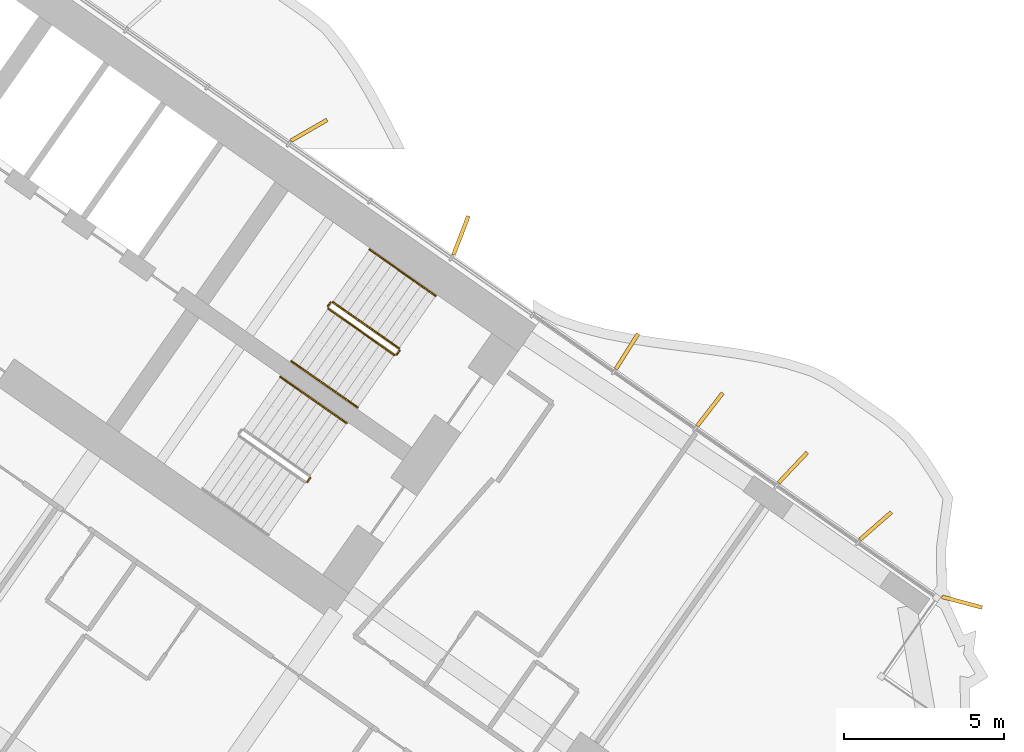
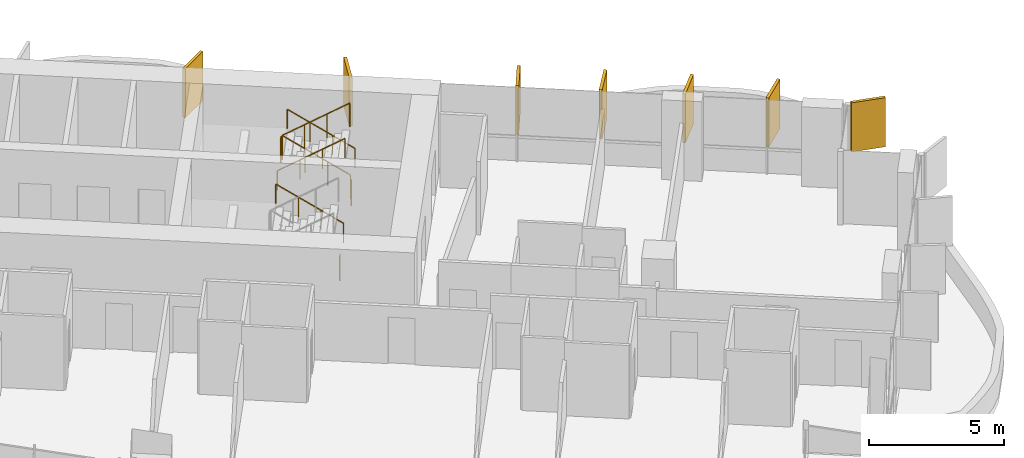
# One storey, part 24 of 24: 8 railings, 7 shading devices.
"""IFC4 building model written with IfcOpenShell, lengths in metres."""

from ifc_helpers import new_model, si_unit, direction, frame, origin, origin_2d, place, context, subcontext, project, spatial, rectangle, circle, extrude, material, layer, layer_set, type_object, element, save


model = new_model("IFC4")

# Units and contexts
model_context = context("Model", 3, precision=1e-05, world=origin(), true_north=direction((0.0, 1.0)))
body_context = subcontext(model_context, "Body", "Model", "MODEL_VIEW")
ifc_project = project(units=[si_unit("LENGTHUNIT", "METRE"), si_unit("AREAUNIT", "SQUARE_METRE"), si_unit("VOLUMEUNIT", "CUBIC_METRE"), si_unit("PLANEANGLEUNIT", "RADIAN"), si_unit("MASSUNIT", "GRAM", prefix="KILO")], contexts=[model_context])

# Site, building, storey
site_placement = place(None, origin())
site = spatial("IfcSite", under=ifc_project, at=site_placement, CompositionType="ELEMENT")
building_placement = place(site_placement, origin())
building = spatial("IfcBuilding", under=site, at=building_placement, Name="Tel Ilan Convention Tower", CompositionType="ELEMENT")
storey_placement = place(building_placement, frame((0.0, 0.0, 90.5)))
storey = spatial("IfcBuildingStorey", under=building, at=storey_placement, Name="L18", CompositionType="ELEMENT", Elevation=90.5)

# Shading devices
ifc_material_1 = material(Name="Aluminium, bronze anodised", Category="aluminium")
ifc_layer = layer(ifc_material_1, 0.1201171875)
ifc_layer_set = layer_set([ifc_layer], Name="FIN BRONZE 1300x120")
shading_device_type = type_object("IfcShadingDeviceType", Name="FIN BRONZE 1300x120", PredefinedType="USERDEFINED", material=ifc_layer_set)
for number, where, z_axis, x_axis, name in (
    (1, (25.611328125, -4.327880859375, 1.10009765625), (0.0, 0.0, 1.0), (0.360177724803, 0.932883704733, 0.0), "FIN"),
    (2, (20.87255859375, -1.047607421875, 1.10009765625), (0.0, 0.0, 1.0), (0.866025403784, 0.5, 0.0), "FIN"),
    (3, (41.2431640625, -15.767822265625, 1.10009765625), (0.0, 0.0, 1.0), (0.965925826289, -0.258819045103, 0.0), "FIN"),
    (4, (38.551513671875, -13.388671875, 1.10009765625), (0.0, 0.0, 1.0), (0.753435896329, 0.657521368568, 0.0), "FIN"),
    (5, (35.9677734375, -11.571533203125, 1.10009765625), (0.0, 0.0, 1.0), (0.686241637865, 0.727373641577, 0.0), "FIN"),
    (6, (33.379638671875, -9.759033203125, 1.10009765625), (0.0, 0.0, 1.0), (0.612600545196, 0.790392669516, 0.0), "FIN"),
    (7, (30.791015625, -7.946533203125, 1.10009765625), (0.0, 0.0, 1.0), (0.533204432798, 0.845986425922, 0.0), "FIN"),
):
    element("IfcShadingDevice", number, at=place(storey_placement, frame(where, z_axis=z_axis, x_axis=x_axis)), inside=storey, type_object=shading_device_type, Name=name, ObjectType="FIN", PredefinedType="USERDEFINED", context=body_context, shape_type="SweptSolid", body=[
        extrude(rectangle(XDim=1.300048828125, YDim=0.1201171875, at=origin_2d()), origin(), (0.0, 0.0, 1.0), 2.219970703125),
    ])

# Railings
ifc_material_2 = material(Name="Stainless Steel Grade 316", Category="steel")
railing_type_1 = type_object("IfcRailingType", Name="Stainless Steel Stair Guard 1100 mm", PredefinedType="GUARDRAIL", material=ifc_material_2)
railing_1_placement = place(storey_placement, frame((23.6787109375, -7.8515625, 0.179931640625)))
element("IfcRailing", 8, at=railing_1_placement, inside=storey, type_object=railing_type_1, Name="L18 S3 stair guard 1", PredefinedType="GUARDRAIL", context=body_context, shape_type="SweptSolid", body=[
    extrude(circle(Radius=0.02392578125, at=origin_2d()), frame((0.0, 0.0, 1.076171875), z_axis=(-0.689013013563, 0.482512838948, 0.540779462804), x_axis=(-0.573624882958, -0.819118119475, 0.0)), (0.0, 0.0, 1.0), 2.995849609375),
    extrude(circle(Radius=0.02099609375, at=origin_2d()), origin(), (0.0, 0.0, 1.0), 1.052001953125),
    extrude(circle(Radius=0.02099609375, at=origin_2d()), frame((-0.68798828125, 0.48193359375, 0.5400390625)), (0.0, 0.0, 1.0), 1.052001953125),
    extrude(circle(Radius=0.02099609375, at=origin_2d()), frame((-1.376220703125, 0.963623046875, 1.080078125)), (0.0, 0.0, 1.0), 1.052001953125),
    extrude(circle(Radius=0.02099609375, at=origin_2d()), frame((-2.064208984375, 1.445556640625, 1.6201171875)), (0.0, 0.0, 1.0), 1.052001953125),
])
railing_2_placement = place(storey_placement, frame((21.544921875, -6.41845703125, 1.800048828125)))
element("IfcRailing", 9, at=railing_2_placement, inside=storey, type_object=railing_type_1, Name="L18 S3 stair guard 2", PredefinedType="GUARDRAIL", context=body_context, shape_type="SweptSolid", body=[
    extrude(circle(Radius=0.02392578125, at=origin_2d()), frame((0.0, 0.0, 1.076171875), z_axis=(-0.573353020881, -0.819308436089, 0.0), x_axis=(0.819308436089, -0.573353020881, 0.0)), (0.0, 0.0, 1.0), 0.14990234375),
    extrude(circle(Radius=0.02099609375, at=origin_2d()), origin(), (0.0, 0.0, 1.0), 1.052001953125),
    extrude(circle(Radius=0.02099609375, at=origin_2d()), frame((-0.0859375, -0.122802734375, 0.0)), (0.0, 0.0, 1.0), 1.052001953125),
])
railing_3_placement = place(storey_placement, frame((21.47119140625, -6.61083984375, 1.97998046875)))
element("IfcRailing", 10, at=railing_3_placement, inside=storey, type_object=railing_type_1, Name="L18 S3 stair guard 3", PredefinedType="GUARDRAIL", context=body_context, shape_type="SweptSolid", body=[
    extrude(circle(Radius=0.02392578125, at=origin_2d()), frame((0.0, 0.0, 1.076171875), z_axis=(0.689013013563, -0.482512838948, 0.540779462804), x_axis=(0.573624882958, 0.819118119475, 0.0)), (0.0, 0.0, 1.0), 2.995849609375),
    extrude(circle(Radius=0.02099609375, at=origin_2d()), origin(), (0.0, 0.0, 1.0), 1.052001953125),
    extrude(circle(Radius=0.02099609375, at=origin_2d()), frame((0.68798828125, -0.48193359375, 0.5400390625)), (0.0, 0.0, 1.0), 1.052001953125),
    extrude(circle(Radius=0.02099609375, at=origin_2d()), frame((1.376220703125, -0.963623046875, 1.080078125)), (0.0, 0.0, 1.0), 1.052001953125),
    extrude(circle(Radius=0.02099609375, at=origin_2d()), frame((2.064208984375, -1.445556640625, 1.6201171875)), (0.0, 0.0, 1.0), 1.052001953125),
])
railing_4_placement = place(storey_placement, frame((23.691162109375, -7.921142578125, 0.0)))
element("IfcRailing", 11, at=railing_4_placement, inside=storey, type_object=railing_type_1, Name="L18 S3 stair guard 4", PredefinedType="GUARDRAIL", context=body_context, shape_type="SweptSolid", body=[
    extrude(circle(Radius=0.02392578125, at=origin_2d()), frame((0.0, 0.0, 1.076171875), z_axis=(-0.574444878118, -0.818543268254, 0.0), x_axis=(0.818543268254, -0.574444878118, 0.0)), (0.0, 0.0, 1.0), 0.150146484375),
    extrude(circle(Radius=0.02099609375, at=origin_2d()), origin(), (0.0, 0.0, 1.0), 1.052001953125),
    extrude(circle(Radius=0.02099609375, at=origin_2d()), frame((-0.086181640625, -0.122802734375, 0.0)), (0.0, 0.0, 1.0), 1.052001953125),
])
railing_5_placement = place(storey_placement, frame((20.9091796875, -11.89404296875, 0.0)))
element("IfcRailing", 12, at=railing_5_placement, inside=storey, type_object=railing_type_1, Name="L18 S4 stair guard 4", PredefinedType="GUARDRAIL", context=body_context, shape_type="SweptSolid", body=[
    extrude(circle(Radius=0.02392578125, at=origin_2d()), frame((0.0, 0.0, 1.076171875), z_axis=(-0.573353020881, -0.819308436089, 0.0), x_axis=(0.819308436089, -0.573353020881, 0.0)), (0.0, 0.0, 1.0), 0.14990234375),
    extrude(circle(Radius=0.02099609375, at=origin_2d()), origin(), (0.0, 0.0, 1.0), 1.052001953125),
    extrude(circle(Radius=0.02099609375, at=origin_2d()), frame((-0.0859375, -0.122802734375, 0.0)), (0.0, 0.0, 1.0), 1.052001953125),
])
ifc_material_3 = material(Name="Stainless Steel Grade 316", Category="steel")
railing_type_2 = type_object("IfcRailingType", Name="Stainless Steel Stair Handrail 900 mm", PredefinedType="HANDRAIL", material=ifc_material_3)
railing_6_placement = place(storey_placement, frame((24.825927734375, -6.213134765625, 0.179931640625)))
element("IfcRailing", 13, at=railing_6_placement, inside=storey, type_object=railing_type_2, Name="L18 S3 stair handrail 1", PredefinedType="HANDRAIL", context=body_context, shape_type="SweptSolid", body=[
    extrude(circle(Radius=0.02392578125, at=origin_2d()), frame((0.0, 0.0, 0.8759765625), z_axis=(-0.689040105437, 0.482450316285, 0.54080072616), x_axis=(-0.573559875649, -0.819163639968, 0.0)), (0.0, 0.0, 1.0), 2.995849609375),
    extrude(circle(Radius=0.02099609375, at=origin_2d()), origin(), (0.0, 0.0, 1.0), 0.851806640625),
    extrude(circle(Radius=0.02099609375, at=origin_2d()), frame((-0.68798828125, 0.481689453125, 0.5400390625)), (0.0, 0.0, 1.0), 0.851806640625),
    extrude(circle(Radius=0.02099609375, at=origin_2d()), frame((-1.376220703125, 0.963623046875, 1.080078125)), (0.0, 0.0, 1.0), 0.851806640625),
    extrude(circle(Radius=0.02099609375, at=origin_2d()), frame((-2.064208984375, 1.4453125, 1.6201171875)), (0.0, 0.0, 1.0), 0.851806640625),
])
railing_7_placement = place(storey_placement, frame((20.323974609375, -8.249267578125, 1.97998046875)))
element("IfcRailing", 14, at=railing_7_placement, inside=storey, type_object=railing_type_2, Name="L18 S3 stair handrail 2", PredefinedType="HANDRAIL", context=body_context, shape_type="SweptSolid", body=[
    extrude(circle(Radius=0.02392578125, at=origin_2d()), frame((0.0, 0.0, 0.8759765625), z_axis=(0.689040105437, -0.482450316285, 0.54080072616), x_axis=(0.573559875649, 0.819163639968, 0.0)), (0.0, 0.0, 1.0), 2.995849609375),
    extrude(circle(Radius=0.02099609375, at=origin_2d()), origin(), (0.0, 0.0, 1.0), 0.851806640625),
    extrude(circle(Radius=0.02099609375, at=origin_2d()), frame((0.68798828125, -0.481689453125, 0.5400390625)), (0.0, 0.0, 1.0), 0.851806640625),
    extrude(circle(Radius=0.02099609375, at=origin_2d()), frame((1.376220703125, -0.963623046875, 1.080078125)), (0.0, 0.0, 1.0), 0.851806640625),
    extrude(circle(Radius=0.02099609375, at=origin_2d()), frame((2.064208984375, -1.4453125, 1.6201171875)), (0.0, 0.0, 1.0), 0.851806640625),
])
railing_8_placement = place(storey_placement, frame((22.044189453125, -10.18603515625, 0.179931640625)))
element("IfcRailing", 15, at=railing_8_placement, inside=storey, type_object=railing_type_2, Name="L18 S4 stair handrail 1", PredefinedType="HANDRAIL", context=body_context, shape_type="SweptSolid", body=[
    extrude(circle(Radius=0.02392578125, at=origin_2d()), frame((0.0, 0.0, 0.8759765625), z_axis=(-0.689082904933, 0.482423225781, 0.540770359169), x_axis=(-0.573514357932, -0.81919550856, 0.0)), (0.0, 0.0, 1.0), 2.995849609375),
    extrude(circle(Radius=0.02099609375, at=origin_2d()), origin(), (0.0, 0.0, 1.0), 0.851806640625),
    extrude(circle(Radius=0.02099609375, at=origin_2d()), frame((-0.688232421875, 0.481689453125, 0.5400390625)), (0.0, 0.0, 1.0), 0.851806640625),
    extrude(circle(Radius=0.02099609375, at=origin_2d()), frame((-1.376220703125, 0.963623046875, 1.080078125)), (0.0, 0.0, 1.0), 0.851806640625),
    extrude(circle(Radius=0.02099609375, at=origin_2d()), frame((-2.064453125, 1.4453125, 1.6201171875)), (0.0, 0.0, 1.0), 0.851806640625),
])

save(model, "model.ifc")
